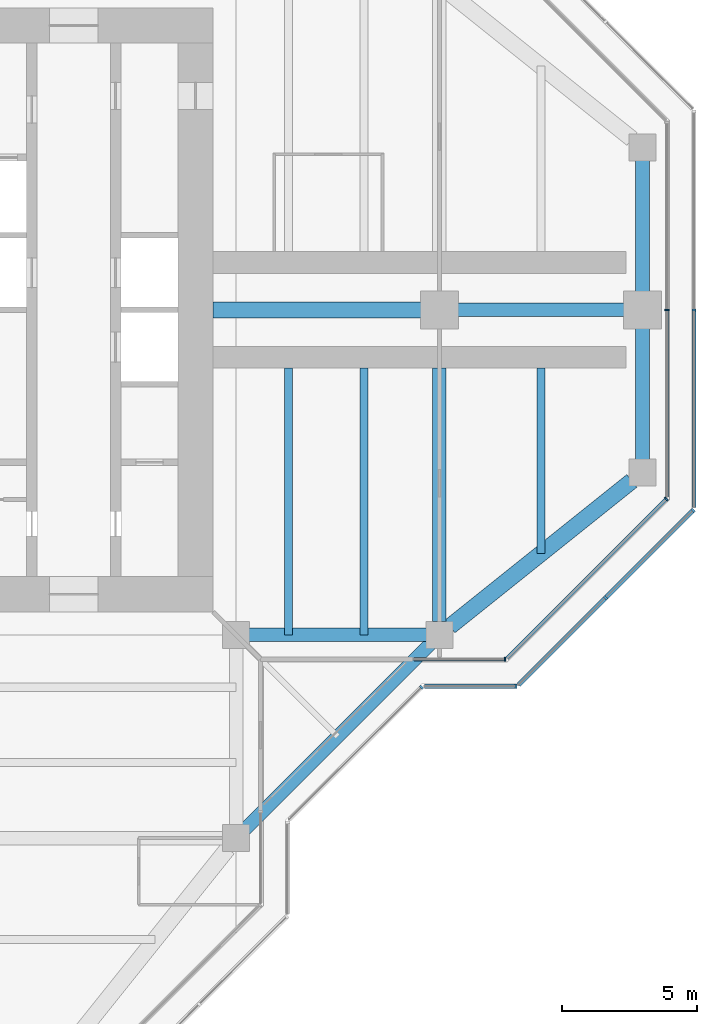
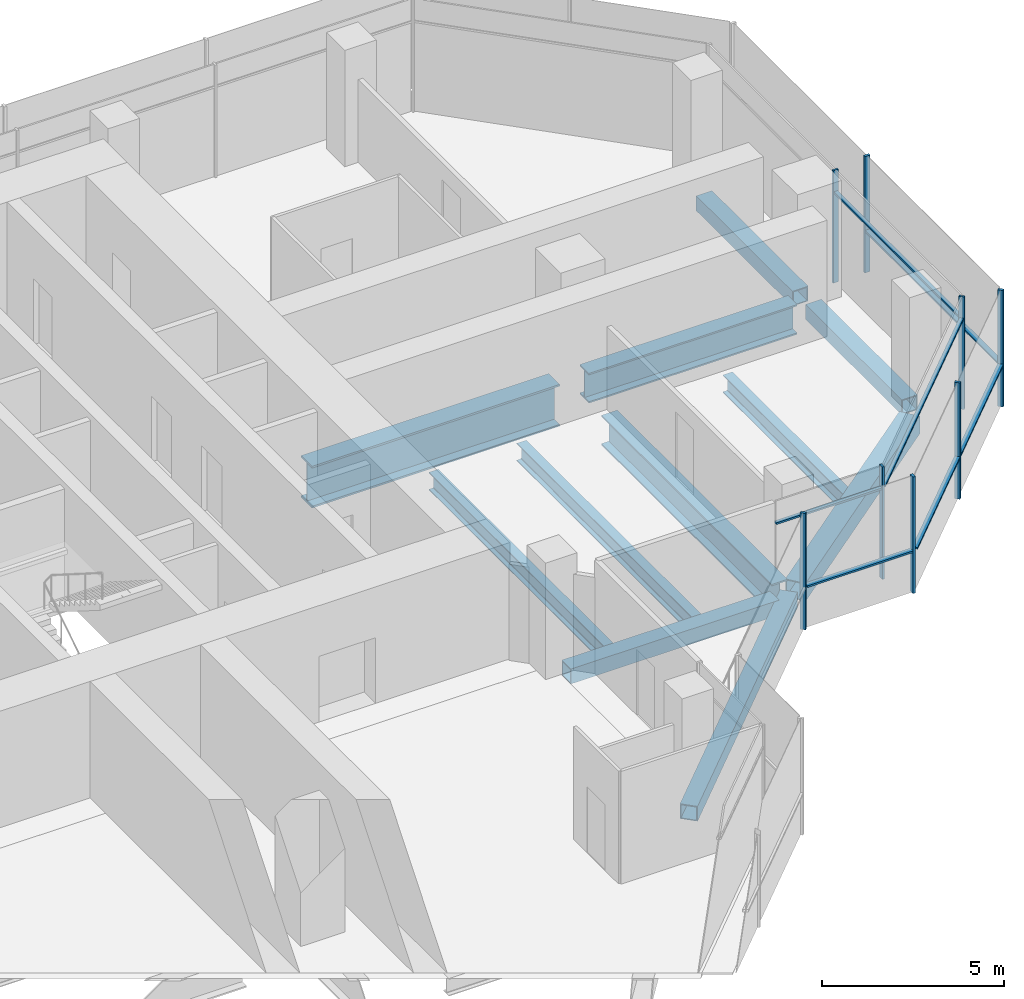
# One storey, part 5 of 15: 15 members, 11 beams, 7 elements without a shape of their own.
"""IFC4 building model written with IfcOpenShell, lengths in metres."""

from ifc_helpers import new_model, si_unit, direction, frame, origin, origin_2d, place, context, subcontext, project, spatial, rectangle, hollow_rectangle, i_section, extrude, material, material_profile, profile_set, type_object, element, aggregate, save


model = new_model("IFC4")

# Units and contexts
model_context = context("Model", 3, precision=1e-05, world=origin(), true_north=direction((0.0, 1.0)))
body_context = subcontext(model_context, "Body", "Model", "MODEL_VIEW")
ifc_project = project(units=[si_unit("LENGTHUNIT", "METRE"), si_unit("AREAUNIT", "SQUARE_METRE"), si_unit("VOLUMEUNIT", "CUBIC_METRE"), si_unit("PLANEANGLEUNIT", "RADIAN"), si_unit("MASSUNIT", "GRAM", prefix="KILO")], contexts=[model_context])

# Site, building, storey
site_placement = place(None, origin())
site = spatial("IfcSite", under=ifc_project, at=site_placement, CompositionType="ELEMENT")
building_placement = place(site_placement, origin())
building = spatial("IfcBuilding", under=site, at=building_placement, Name="Mizan Broadcast Tower", CompositionType="ELEMENT")
storey_placement = place(building_placement, frame((0.0, 0.0, 298.5)))
storey = spatial("IfcBuildingStorey", under=building, at=storey_placement, Name="L71", CompositionType="ELEMENT", Elevation=298.5)

# Beams
ifc_material_1 = material(Name="Steel S355", Category="steel")
ifc_material_profile_1 = material_profile(ifc_material_1, hollow_rectangle(XDim=0.5, YDim=0.5, WallThickness=0.030029296875, at=origin_2d()), Name="BOX 500x500x30")
ifc_profile_set_1 = profile_set([ifc_material_profile_1], Name="Steel S355")
beam_type_1 = type_object("IfcBeamType", Name="EDGE BEAM BOX 500x500x30", PredefinedType="SPANDREL", material=ifc_profile_set_1)
beam_1_placement = place(storey_placement, frame((12.449951171875, -12.0, -0.3798828125), z_axis=(1.0, 0.0, 0.0), x_axis=(0.0, 1.0, 0.0)))
element("IfcBeam", 1, at=beam_1_placement, inside=storey, type_object=beam_type_1, Name="Edge beam BOX 500x500x30 L71 east arm", PredefinedType="SPANDREL", context=body_context, shape_type="SweptSolid", body=[
    extrude(hollow_rectangle(XDim=0.5, YDim=0.5, WallThickness=0.030029296875, at=origin_2d()), origin(), (0.0, 0.0, 1.0), 6.60009765625),
])
for number, where, z_axis, x_axis, name in (
    (2, (27.0, -5.639892578125, -0.3798828125), (0.0, 1.0, 0.0), (-1.0, 0.0, 0.0), "Edge beam BOX 500x500x30 L71 east arm"),
    (3, (27.0, 5.639892578125, -0.3798828125), (0.0, -1.0, 0.0), (1.0, 0.0, 0.0), "Edge beam BOX 500x500x30 L71 east arm"),
):
    element("IfcBeam", number, at=place(storey_placement, frame(where, z_axis=z_axis, x_axis=x_axis)), inside=storey, type_object=beam_type_1, Name=name, PredefinedType="SPANDREL", context=body_context, shape_type="SweptSolid", body=[
        extrude(hollow_rectangle(XDim=0.5, YDim=0.5, WallThickness=0.030029296875, at=origin_2d()), origin(), (0.0, 0.0, 1.0), 5.27978515625),
    ])
beam_2_placement = place(storey_placement, frame((12.0, -19.5, -0.3798828125), z_axis=(0.707106781187, 0.707106781187, 0.0), x_axis=(-0.707106781187, 0.707106781187, 0.0)))
element("IfcBeam", 4, at=beam_2_placement, inside=storey, type_object=beam_type_1, Name="Winter garden edge beam L71 S", PredefinedType="SPANDREL", context=body_context, shape_type="SweptSolid", body=[
    extrude(hollow_rectangle(XDim=0.5, YDim=0.5, WallThickness=0.030029296875, at=origin_2d()), origin(), (0.0, 0.0, 1.0), 10.606689453125),
])
ifc_material_2 = material(Name="Steel S355", Category="steel")
ifc_material_profile_2 = material_profile(ifc_material_2, hollow_rectangle(XDim=0.60009765625, YDim=0.60009765625, WallThickness=0.030029296875, at=origin_2d()), Name="BOX 600x600x30")
ifc_profile_set_2 = profile_set([ifc_material_profile_2], Name="Steel S355")
beam_type_2 = type_object("IfcBeamType", Name="EDGE BEAM BOX 600x600x30", PredefinedType="SPANDREL", material=ifc_profile_set_2)
beam_3_placement = place(storey_placement, frame((19.890380859375, -11.687744140625, -0.429931640625), z_axis=(0.780863273348, 0.62470196761, 0.0), x_axis=(-0.62470196761, 0.780863273348, 0.0)))
element("IfcBeam", 5, at=beam_3_placement, inside=storey, type_object=beam_type_2, Name="Edge beam BOX 600x600x30 L71 east arm", PredefinedType="SPANDREL", context=body_context, shape_type="SweptSolid", body=[
    extrude(hollow_rectangle(XDim=0.60009765625, YDim=0.60009765625, WallThickness=0.030029296875, at=origin_2d()), origin(), (0.0, 0.0, 1.0), 8.60498046875),
])
ifc_material_3 = material(Name="Steel S460", Category="steel")
ifc_material_profile_3 = material_profile(ifc_material_3, i_section(OverallWidth=0.5, OverallDepth=1.0, WebThickness=0.02490234375, FlangeThickness=0.050048828125, at=origin_2d()), Name="WPG 1000x500")
ifc_profile_set_3 = profile_set([ifc_material_profile_3], Name="Steel S460")
beam_type_3 = type_object("IfcBeamType", Name="GIRDER WPG 1000x500", PredefinedType="BEAM", material=ifc_profile_set_3)
beam_4_placement = place(storey_placement, frame((19.949951171875, 0.0, -0.6298828125), z_axis=(1.0, 0.0, 0.0), x_axis=(0.0, 1.0, 0.0)))
element("IfcBeam", 6, at=beam_4_placement, inside=storey, type_object=beam_type_3, Name="Girder WPG 1000x500 L71 east arm", PredefinedType="BEAM", context=body_context, shape_type="SweptSolid", body=[
    extrude(i_section(OverallWidth=0.5, OverallDepth=1.0, WebThickness=0.02490234375, FlangeThickness=0.050048828125, at=origin_2d()), origin(), (0.0, 0.0, 1.0), 6.60009765625),
])
beam_5_placement = place(storey_placement, frame((19.5, -11.5, -0.6298828125), z_axis=(0.0, 1.0, 0.0), x_axis=(-1.0, 0.0, 0.0)))
element("IfcBeam", 7, at=beam_5_placement, inside=storey, type_object=beam_type_3, Name="Girder WPG 1000x500 L71 east arm", PredefinedType="BEAM", context=body_context, shape_type="SweptSolid", body=[
    extrude(i_section(OverallWidth=0.5, OverallDepth=1.0, WebThickness=0.02490234375, FlangeThickness=0.050048828125, at=origin_2d()), origin(), (0.0, 0.0, 1.0), 9.35009765625),
])
ifc_material_4 = material(Name="Steel S460", Category="steel")
ifc_material_profile_4 = material_profile(ifc_material_4, i_section(OverallWidth=0.60009765625, OverallDepth=1.39990234375, WebThickness=0.02490234375, FlangeThickness=0.06005859375, at=origin_2d()), Name="WPG 1400x600")
ifc_profile_set_4 = profile_set([ifc_material_profile_4], Name="Steel S460")
beam_type_4 = type_object("IfcBeamType", Name="GIRDER WPG 1400x600", PredefinedType="BEAM", material=ifc_profile_set_4)
beam_6_placement = place(storey_placement, frame((11.14990234375, 0.0, -0.830078125), z_axis=(1.0, 0.0, 0.0), x_axis=(0.0, 1.0, 0.0)))
element("IfcBeam", 8, at=beam_6_placement, inside=storey, type_object=beam_type_4, Name="Girder WPG 1400x600 L71 east arm", PredefinedType="BEAM", context=body_context, shape_type="SweptSolid", body=[
    extrude(i_section(OverallWidth=0.60009765625, OverallDepth=1.39990234375, WebThickness=0.02490234375, FlangeThickness=0.06005859375, at=origin_2d()), origin(), (0.0, 0.0, 1.0), 7.84912109375),
])

# Curtain wall, member
ifc_material_5 = material(Name="Aluminium framed glazing", Category="aluminium")
curtain_wall_type_1 = type_object("IfcCurtainWallType", Name="INNER SKIN TOP ZONE", PredefinedType="USERDEFINED", material=ifc_material_5)
curtain_wall_1_placement = place(storey_placement, origin())
curtain_wall_1 = element("IfcCurtainWall", 9, at=curtain_wall_1_placement, inside=storey, type_object=curtain_wall_type_1, Name="Inner skin top zone L71 E side", ObjectType="INNER SKIN TOP ZONE", PredefinedType="USERDEFINED")
ifc_material_6 = material(Name="Aluminium, pale anodised", Category="aluminium")
ifc_material_profile_5 = material_profile(ifc_material_6, rectangle(XDim=0.159912109375, YDim=0.06005859375, at=origin_2d()), Name="MULLION 160x60")
ifc_profile_set_5 = profile_set([ifc_material_profile_5], Name="Aluminium, pale anodised")
member_type_1 = type_object("IfcMemberType", Name="INNER SKIN MULLION 60x160", PredefinedType="MULLION", material=ifc_profile_set_5)
member_1_placement = place(storey_placement, frame((21.928466796875, -12.89990234375, 0.0), z_axis=(0.0, 0.0, 1.0), x_axis=(0.0, 1.0, 0.0)))
member_1 = element("IfcMember", 10, at=member_1_placement, type_object=member_type_1, Name="Inner skin top zone L71 E side mullion 2", PredefinedType="MULLION", context=body_context, shape_type="SweptSolid", body=[
    extrude(rectangle(XDim=0.159912109375, YDim=0.06005859375, at=origin_2d()), origin(), (0.0, 0.0, 1.0), 3.77001953125),
])

curtain_wall_2_placement = place(storey_placement, origin())
curtain_wall_2 = element("IfcCurtainWall", 11, at=curtain_wall_2_placement, inside=storey, type_object=curtain_wall_type_1, Name="Inner skin top zone L71 E chamfer", ObjectType="INNER SKIN TOP ZONE", PredefinedType="USERDEFINED")
member_2_placement = place(storey_placement, frame((27.87890625, -6.979736328125, 0.0), z_axis=(0.0, 0.0, 1.0), x_axis=(-0.707106781187, 0.707106781187, 0.0)))
member_2 = element("IfcMember", 12, at=member_2_placement, type_object=member_type_1, Name="Inner skin top zone L71 E chamfer mullion 2", PredefinedType="MULLION", context=body_context, shape_type="SweptSolid", body=[
    extrude(rectangle(XDim=0.159912109375, YDim=0.06005859375, at=origin_2d()), origin(), (0.0, 0.0, 1.0), 3.77001953125),
])

curtain_wall_3_placement = place(storey_placement, origin())
curtain_wall_3 = element("IfcCurtainWall", 13, at=curtain_wall_3_placement, inside=storey, type_object=curtain_wall_type_1, Name="Inner skin top zone L71 E end", ObjectType="INNER SKIN TOP ZONE", PredefinedType="USERDEFINED")
member_3_placement = place(storey_placement, frame((27.89990234375, 0.0, 0.0), z_axis=(0.0, 0.0, 1.0), x_axis=(-1.0, 0.0, 0.0)))
member_3 = element("IfcMember", 14, at=member_3_placement, type_object=member_type_1, Name="Inner skin top zone L71 E end mullion 2", PredefinedType="MULLION", context=body_context, shape_type="SweptSolid", body=[
    extrude(rectangle(XDim=0.159912109375, YDim=0.06005859375, at=origin_2d()), origin(), (0.0, 0.0, 1.0), 3.77001953125),
])

# Member
ifc_material_7 = material(Name="Aluminium, pale anodised", Category="aluminium")
ifc_material_profile_6 = material_profile(ifc_material_7, rectangle(XDim=0.1201171875, YDim=0.06005859375, at=origin_2d()), Name="TRANSOM 120x60")
ifc_profile_set_6 = profile_set([ifc_material_profile_6], Name="Aluminium, pale anodised")
member_type_2 = type_object("IfcMemberType", Name="INNER SKIN TRANSOM 60x120", PredefinedType="USERDEFINED", material=ifc_profile_set_6)
member_4_placement = place(storey_placement, frame((18.56005859375, -12.89990234375, 3.030029296875), z_axis=(1.0, 0.0, 0.0), x_axis=(0.0, 1.0, 0.0)))
member_4 = element("IfcMember", 15, at=member_4_placement, type_object=member_type_2, Name="Inner skin top zone L71 E side transom 1.1", ObjectType="TRANSOM", PredefinedType="USERDEFINED", context=body_context, shape_type="SweptSolid", body=[
    extrude(rectangle(XDim=0.1201171875, YDim=0.06005859375, at=origin_2d()), origin(), (0.0, 0.0, 1.0), 3.338623046875),
])

aggregate(curtain_wall_1, [member_1, member_4])

member_5_placement = place(storey_placement, frame((22.0009765625, -12.857666015625, 3.030029296875), z_axis=(0.707106781187, 0.707106781187, 0.0), x_axis=(-0.707106781187, 0.707106781187, 0.0)))
member_5 = element("IfcMember", 16, at=member_5_placement, type_object=member_type_2, Name="Inner skin top zone L71 E chamfer transom 1.1", ObjectType="TRANSOM", PredefinedType="USERDEFINED", context=body_context, shape_type="SweptSolid", body=[
    extrude(rectangle(XDim=0.1201171875, YDim=0.06005859375, at=origin_2d()), origin(), (0.0, 0.0, 1.0), 8.28271484375),
])

aggregate(curtain_wall_2, [member_2, member_5])

member_6_placement = place(storey_placement, frame((27.89990234375, -6.898681640625, 3.030029296875), z_axis=(0.0, 1.0, 0.0), x_axis=(-1.0, 0.0, 0.0)))
member_6 = element("IfcMember", 17, at=member_6_placement, type_object=member_type_2, Name="Inner skin top zone L71 E end transom 1.1", ObjectType="TRANSOM", PredefinedType="USERDEFINED", context=body_context, shape_type="SweptSolid", body=[
    extrude(rectangle(XDim=0.1201171875, YDim=0.06005859375, at=origin_2d()), origin(), (0.0, 0.0, 1.0), 6.86865234375),
])

aggregate(curtain_wall_3, [member_3, member_6])

# Curtain wall, member
ifc_material_8 = material(Name="Aluminium framed glazing", Category="aluminium")
curtain_wall_type_2 = type_object("IfcCurtainWallType", Name="OUTER SKIN", PredefinedType="USERDEFINED", material=ifc_material_8)
curtain_wall_4_placement = place(storey_placement, origin())
curtain_wall_4 = element("IfcCurtainWall", 18, at=curtain_wall_4_placement, inside=storey, type_object=curtain_wall_type_2, Name="Outer skin L71 E chamfer", ObjectType="OUTER SKIN", PredefinedType="USERDEFINED")
ifc_material_9 = material(Name="Aluminium, pale anodised", Category="aluminium")
ifc_material_profile_7 = material_profile(ifc_material_9, rectangle(XDim=0.159912109375, YDim=0.080078125, at=origin_2d()), Name="MULLION 160x80")
ifc_profile_set_7 = profile_set([ifc_material_profile_7], Name="Aluminium, pale anodised")
member_type_3 = type_object("IfcMemberType", Name="OUTER SKIN MULLION 80x160", PredefinedType="MULLION", material=ifc_profile_set_7)
member_7_placement = place(storey_placement, frame((18.844482421875, -13.92822265625, 0.0), z_axis=(0.0, 0.0, 1.0), x_axis=(-0.707106781187, 0.707106781187, 0.0)))
member_7 = element("IfcMember", 19, at=member_7_placement, type_object=member_type_3, Name="Outer skin L71 E chamfer mullion 2", PredefinedType="MULLION", context=body_context, shape_type="SweptSolid", body=[
    extrude(rectangle(XDim=0.159912109375, YDim=0.080078125, at=origin_2d()), origin(), (0.0, 0.0, 1.0), 3.89990234375),
])
aggregate(curtain_wall_4, [member_7])

curtain_wall_5_placement = place(storey_placement, origin())
curtain_wall_5 = element("IfcCurtainWall", 20, at=curtain_wall_5_placement, inside=storey, type_object=curtain_wall_type_2, Name="Outer skin L71 E side", ObjectType="OUTER SKIN", PredefinedType="USERDEFINED")
member_8_placement = place(storey_placement, frame((22.332763671875, -13.89990234375, 0.0), z_axis=(0.0, 0.0, 1.0), x_axis=(0.0, 1.0, 0.0)))
member_8 = element("IfcMember", 21, at=member_8_placement, type_object=member_type_3, Name="Outer skin L71 E side mullion 2", PredefinedType="MULLION", context=body_context, shape_type="SweptSolid", body=[
    extrude(rectangle(XDim=0.159912109375, YDim=0.080078125, at=origin_2d()), origin(), (0.0, 0.0, 1.0), 3.89990234375),
])

# Curtain wall, members
curtain_wall_6_placement = place(storey_placement, origin())
curtain_wall_6 = element("IfcCurtainWall", 22, at=curtain_wall_6_placement, inside=storey, type_object=curtain_wall_type_2, Name="Outer skin L71 E chamfer", ObjectType="OUTER SKIN", PredefinedType="USERDEFINED")
member_9_placement = place(storey_placement, frame((25.636474609375, -10.636474609375, 0.0), z_axis=(0.0, 0.0, 1.0), x_axis=(-0.707106781187, 0.707106781187, 0.0)))
member_9 = element("IfcMember", 23, at=member_9_placement, type_object=member_type_3, Name="Outer skin L71 E chamfer mullion 2", PredefinedType="MULLION", context=body_context, shape_type="SweptSolid", body=[
    extrude(rectangle(XDim=0.159912109375, YDim=0.080078125, at=origin_2d()), origin(), (0.0, 0.0, 1.0), 3.89990234375),
])
member_10_placement = place(storey_placement, frame((28.871826171875, -7.401123046875, 0.0), z_axis=(0.0, 0.0, 1.0), x_axis=(-0.707106781187, 0.707106781187, 0.0)))
member_10 = element("IfcMember", 24, at=member_10_placement, type_object=member_type_3, Name="Outer skin L71 E chamfer mullion 3", PredefinedType="MULLION", context=body_context, shape_type="SweptSolid", body=[
    extrude(rectangle(XDim=0.159912109375, YDim=0.080078125, at=origin_2d()), origin(), (0.0, 0.0, 1.0), 3.89990234375),
])

# Curtain wall, member
curtain_wall_7_placement = place(storey_placement, origin())
curtain_wall_7 = element("IfcCurtainWall", 25, at=curtain_wall_7_placement, inside=storey, type_object=curtain_wall_type_2, Name="Outer skin L71 E end", ObjectType="OUTER SKIN", PredefinedType="USERDEFINED")
member_11_placement = place(storey_placement, frame((28.89990234375, 0.0, 0.0), z_axis=(0.0, 0.0, 1.0), x_axis=(-1.0, 0.0, 0.0)))
member_11 = element("IfcMember", 26, at=member_11_placement, type_object=member_type_3, Name="Outer skin L71 E end mullion 2", PredefinedType="MULLION", context=body_context, shape_type="SweptSolid", body=[
    extrude(rectangle(XDim=0.159912109375, YDim=0.080078125, at=origin_2d()), origin(), (0.0, 0.0, 1.0), 3.89990234375),
])

# Member
ifc_material_10 = material(Name="Aluminium, pale anodised", Category="aluminium")
ifc_material_profile_8 = material_profile(ifc_material_10, rectangle(XDim=0.159912109375, YDim=0.06005859375, at=origin_2d()), Name="TRANSOM 160x60")
ifc_profile_set_8 = profile_set([ifc_material_profile_8], Name="Aluminium, pale anodised")
member_type_4 = type_object("IfcMemberType", Name="OUTER SKIN TRANSOM 60x160", PredefinedType="USERDEFINED", material=ifc_profile_set_8)
member_12_placement = place(storey_placement, frame((18.952880859375, -13.89990234375, 1.39990234375), z_axis=(1.0, 0.0, 0.0), x_axis=(0.0, 1.0, 0.0)))
member_12 = element("IfcMember", 27, at=member_12_placement, type_object=member_type_4, Name="Outer skin L71 E side transom 1.1", ObjectType="TRANSOM", PredefinedType="USERDEFINED", context=body_context, shape_type="SweptSolid", body=[
    extrude(rectangle(XDim=0.159912109375, YDim=0.06005859375, at=origin_2d()), origin(), (0.0, 0.0, 1.0), 3.33984375),
])

aggregate(curtain_wall_5, [member_8, member_12])

member_13_placement = place(storey_placement, frame((22.429443359375, -13.843505859375, 1.39990234375), z_axis=(0.707106781187, 0.707106781187, 0.0), x_axis=(-0.707106781187, 0.707106781187, 0.0)))
member_13 = element("IfcMember", 28, at=member_13_placement, type_object=member_type_4, Name="Outer skin L71 E chamfer transom 1.1", ObjectType="TRANSOM", PredefinedType="USERDEFINED", context=body_context, shape_type="SweptSolid", body=[
    extrude(rectangle(XDim=0.159912109375, YDim=0.06005859375, at=origin_2d()), origin(), (0.0, 0.0, 1.0), 4.495361328125),
])

member_14_placement = place(storey_placement, frame((25.664794921875, -10.608154296875, 1.39990234375), z_axis=(0.707106781187, 0.707106781187, 0.0), x_axis=(-0.707106781187, 0.707106781187, 0.0)))
member_14 = element("IfcMember", 29, at=member_14_placement, type_object=member_type_4, Name="Outer skin L71 E chamfer transom 2.1", ObjectType="TRANSOM", PredefinedType="USERDEFINED", context=body_context, shape_type="SweptSolid", body=[
    extrude(rectangle(XDim=0.159912109375, YDim=0.06005859375, at=origin_2d()), origin(), (0.0, 0.0, 1.0), 4.495361328125),
])

aggregate(curtain_wall_6, [member_9, member_10, member_13, member_14])

member_15_placement = place(storey_placement, frame((28.89990234375, -7.292724609375, 1.39990234375), z_axis=(0.0, 1.0, 0.0), x_axis=(-1.0, 0.0, 0.0)))
member_15 = element("IfcMember", 30, at=member_15_placement, type_object=member_type_4, Name="Outer skin L71 E end transom 1.1", ObjectType="TRANSOM", PredefinedType="USERDEFINED", context=body_context, shape_type="SweptSolid", body=[
    extrude(rectangle(XDim=0.159912109375, YDim=0.06005859375, at=origin_2d()), origin(), (0.0, 0.0, 1.0), 7.252685546875),
])

aggregate(curtain_wall_7, [member_11, member_15])

# Beams
ifc_material_11 = material(Name="Steel S355", Category="steel")
ifc_material_profile_9 = material_profile(ifc_material_11, i_section(OverallWidth=0.300048828125, OverallDepth=0.590087890625, WebThickness=0.012939453125, FlangeThickness=0.02490234375, FilletRadius=0.027099609375, at=origin_2d()), Name="HEA 600")
ifc_profile_set_9 = profile_set([ifc_material_profile_9], Name="Steel S355")
beam_type_5 = type_object("IfcBeamType", Name="SECONDARY BEAM HEA 600", PredefinedType="JOIST", material=ifc_profile_set_9)
for number, where, z_axis, x_axis, name in (
    (31, (13.933349609375, -12.0, -0.425048828125), (0.0, 1.0, 0.0), (-1.0, 0.0, 0.0), "Secondary beam HEA 600 L71 east arm"),
    (32, (16.716552734375, -12.0, -0.425048828125), (0.0, 1.0, 0.0), (-1.0, 0.0, 0.0), "Secondary beam HEA 600 L71 east arm"),
):
    element("IfcBeam", number, at=place(storey_placement, frame(where, z_axis=z_axis, x_axis=x_axis)), inside=storey, type_object=beam_type_5, Name=name, PredefinedType="JOIST", context=body_context, shape_type="SweptSolid", body=[
        extrude(i_section(OverallWidth=0.300048828125, OverallDepth=0.590087890625, WebThickness=0.012939453125, FlangeThickness=0.02490234375, FilletRadius=0.027099609375, at=origin_2d()), origin(), (0.0, 0.0, 1.0), 9.85009765625),
    ])
beam_7_placement = place(storey_placement, frame((23.25, -9.0, -0.425048828125), z_axis=(0.0, 1.0, 0.0), x_axis=(-1.0, 0.0, 0.0)))
element("IfcBeam", 33, at=beam_7_placement, inside=storey, type_object=beam_type_5, Name="Secondary beam HEA 600 L71 east arm", PredefinedType="JOIST", context=body_context, shape_type="SweptSolid", body=[
    extrude(i_section(OverallWidth=0.300048828125, OverallDepth=0.590087890625, WebThickness=0.012939453125, FlangeThickness=0.02490234375, FilletRadius=0.027099609375, at=origin_2d()), origin(), (0.0, 0.0, 1.0), 6.85009765625),
])

save(model, "model.ifc")
